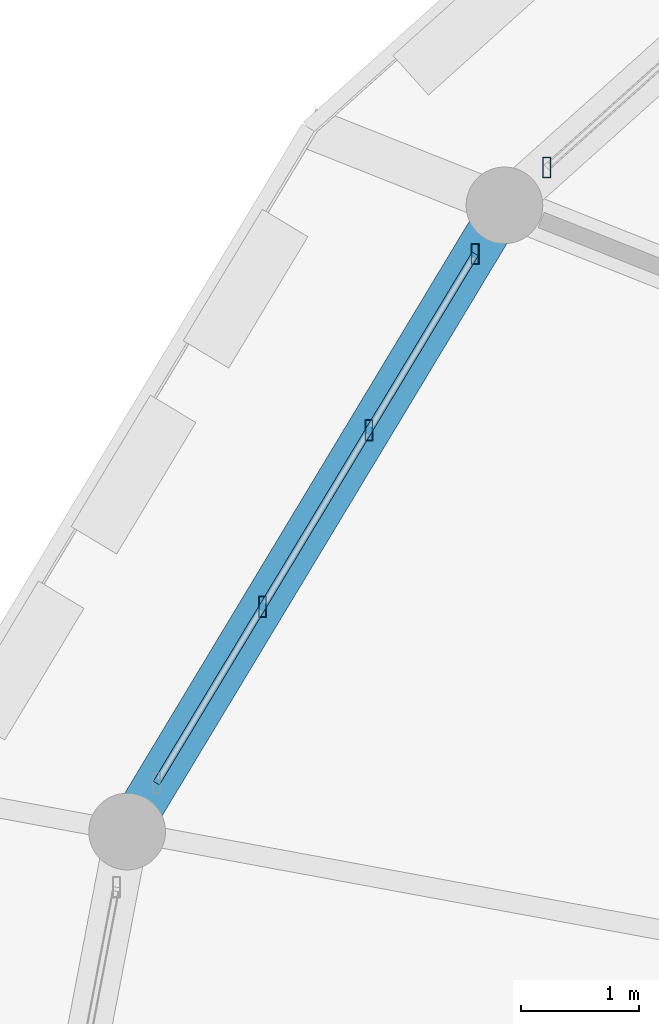
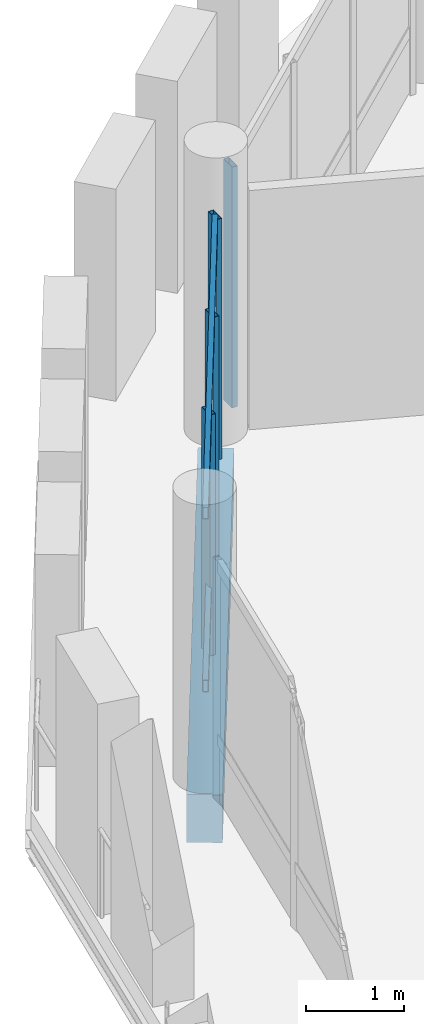
# One storey, part 39 of 93: 6 members, 1 beam, 2 elements without a shape of their own.
"""IFC4 building model written with IfcOpenShell, lengths in metres."""

from ifc_helpers import new_model, si_unit, direction, frame, origin, origin_2d, place, context, subcontext, project, spatial, rectangle, hollow_rectangle, extrude, material, material_profile, profile_set, type_object, element, aggregate, save


model = new_model("IFC4")

# Units and contexts
model_context = context("Model", 3, precision=1e-05, world=origin(), true_north=direction((0.0, 1.0)))
body_context = subcontext(model_context, "Body", "Model", "MODEL_VIEW")
ifc_project = project(units=[si_unit("LENGTHUNIT", "METRE"), si_unit("AREAUNIT", "SQUARE_METRE"), si_unit("VOLUMEUNIT", "CUBIC_METRE"), si_unit("PLANEANGLEUNIT", "RADIAN"), si_unit("MASSUNIT", "GRAM", prefix="KILO")], contexts=[model_context])

# Site, building, storey
site_placement = place(None, origin())
site = spatial("IfcSite", under=ifc_project, at=site_placement, CompositionType="ELEMENT")
building_placement = place(site_placement, origin())
building = spatial("IfcBuilding", under=site, at=building_placement, Name="Zornivar Specialist Clinic", CompositionType="ELEMENT")
storey_placement = place(building_placement, frame((0.0, 0.0, 8.39990234375)))
storey = spatial("IfcBuildingStorey", under=building, at=storey_placement, Name="L02", CompositionType="ELEMENT", Elevation=8.39990234375)

# Beam
ifc_material_1 = material(Name="Concrete C30/37", Category="concrete")
ifc_material_profile_1 = material_profile(ifc_material_1, rectangle(XDim=0.3701171875, YDim=0.60009765625, at=origin_2d()), Name="RC 370x600")
ifc_profile_set_1 = profile_set([ifc_material_profile_1], Name="Concrete C30/37")
beam_type = type_object("IfcBeamType", Name="BM-RC-SPANDREL-370x600", PredefinedType="SPANDREL", material=ifc_profile_set_1)
beam_placement = place(storey_placement, frame((65.886962890625, 68.60009765625, -0.539794921875), z_axis=(-0.516077084803, -0.856542142887, 0.0), x_axis=(0.856542142887, -0.516077084803, 0.0)))
element("IfcBeam", 1, at=beam_placement, inside=storey, type_object=beam_type, Name="bm:V1:L02:outring:10", PredefinedType="SPANDREL", context=body_context, shape_type="SweptSolid", body=[
    extrude(rectangle(XDim=0.3701171875, YDim=0.60009765625, at=origin_2d()), origin(), (0.0, 0.0, 1.0), 6.19482421875),
])

# Curtain wall, member
ifc_material_2 = material(Name="Aluminium and Low-E Glass Curtain Wall", Category="aluminium")
curtain_wall_type = type_object("IfcCurtainWallType", Name="CW-DRUM-FACET", PredefinedType="NOTDEFINED", material=ifc_material_2)
curtain_wall_1_placement = place(storey_placement, origin())
curtain_wall_1 = element("IfcCurtainWall", 2, at=curtain_wall_1_placement, inside=storey, type_object=curtain_wall_type, Name="cw:V1:L02:c09", PredefinedType="NOTDEFINED")
ifc_material_3 = material(Name="Aluminium AW-6060", Category="aluminium")
ifc_material_profile_2 = material_profile(ifc_material_3, hollow_rectangle(XDim=0.06494140625, YDim=0.175048828125, WallThickness=0.00439453125, at=origin_2d()), Name="ALU 65x175x4.5")
ifc_profile_set_2 = profile_set([ifc_material_profile_2], Name="Aluminium AW-6060")
member_type_1 = type_object("IfcMemberType", Name="CWM-MUL-175", PredefinedType="MULLION", material=ifc_profile_set_2)
member_1_placement = place(storey_placement, frame((66.2451171875, 68.9208984375, 0.0), z_axis=(0.0, 0.0, 1.0), x_axis=(1.0, 0.0, 0.0)))
member_1 = element("IfcMember", 3, at=member_1_placement, type_object=member_type_1, Name="cw:V1:L02:c09:mul:3", PredefinedType="MULLION", context=body_context, shape_type="SweptSolid", body=[
    extrude(hollow_rectangle(XDim=0.06494140625, YDim=0.175048828125, WallThickness=0.00439453125, at=origin_2d()), origin(), (0.0, 0.0, 1.0), 3.010009765625),
])
aggregate(curtain_wall_1, [member_1])

# Curtain wall, members
curtain_wall_2_placement = place(storey_placement, origin())
curtain_wall_2 = element("IfcCurtainWall", 4, at=curtain_wall_2_placement, inside=storey, type_object=curtain_wall_type, Name="cw:V1:L02:c10", PredefinedType="NOTDEFINED")
member_2_placement = place(storey_placement, frame((65.638916015625, 68.18896484375, 0.0), z_axis=(0.0, 0.0, 1.0), x_axis=(1.0, 0.0, 0.0)))
member_2 = element("IfcMember", 5, at=member_2_placement, type_object=member_type_1, Name="cw:V1:L02:c10:mul:0", PredefinedType="MULLION", context=body_context, shape_type="SweptSolid", body=[
    extrude(hollow_rectangle(XDim=0.06494140625, YDim=0.175048828125, WallThickness=0.00439453125, at=origin_2d()), origin(), (0.0, 0.0, 1.0), 3.010009765625),
])
member_3_placement = place(storey_placement, frame((64.739013671875, 66.694091796875, 0.0), z_axis=(0.0, 0.0, 1.0), x_axis=(1.0, 0.0, 0.0)))
member_3 = element("IfcMember", 6, at=member_3_placement, type_object=member_type_1, Name="cw:V1:L02:c10:mul:1", PredefinedType="MULLION", context=body_context, shape_type="SweptSolid", body=[
    extrude(hollow_rectangle(XDim=0.06494140625, YDim=0.175048828125, WallThickness=0.00439453125, at=origin_2d()), origin(), (0.0, 0.0, 1.0), 3.010009765625),
])
member_4_placement = place(storey_placement, frame((63.837890625, 65.198974609375, 0.0), z_axis=(0.0, 0.0, 1.0), x_axis=(1.0, 0.0, 0.0)))
member_4 = element("IfcMember", 7, at=member_4_placement, type_object=member_type_1, Name="cw:V1:L02:c10:mul:2", PredefinedType="MULLION", context=body_context, shape_type="SweptSolid", body=[
    extrude(hollow_rectangle(XDim=0.06494140625, YDim=0.175048828125, WallThickness=0.00439453125, at=origin_2d()), origin(), (0.0, 0.0, 1.0), 3.010009765625),
])
ifc_material_4 = material(Name="Aluminium AW-6060", Category="aluminium")
ifc_material_profile_3 = material_profile(ifc_material_4, hollow_rectangle(XDim=0.06005859375, YDim=0.14501953125, WallThickness=0.00390625, at=origin_2d()), Name="ALU 60x145x4")
ifc_profile_set_3 = profile_set([ifc_material_profile_3], Name="Aluminium AW-6060")
member_type_2 = type_object("IfcMemberType", Name="CWM-TRN-145", PredefinedType="USERDEFINED", material=ifc_profile_set_3)
member_5_placement = place(storey_placement, frame((65.638916015625, 68.18896484375, 0.783203125), z_axis=(-0.515983359641, -0.856598606451, 0.0), x_axis=(0.856598606451, -0.515983359641, 0.0)))
member_5 = element("IfcMember", 8, at=member_5_placement, type_object=member_type_2, Name="cw:V1:L02:c10:trn:0", ObjectType="TRANSOM", PredefinedType="USERDEFINED", context=body_context, shape_type="SweptSolid", body=[
    extrude(hollow_rectangle(XDim=0.06005859375, YDim=0.14501953125, WallThickness=0.00390625, at=origin_2d()), origin(), (0.0, 0.0, 1.0), 5.234619140625),
])
member_6_placement = place(storey_placement, frame((65.638916015625, 68.18896484375, 2.945068359375), z_axis=(-0.515983359641, -0.856598606451, 0.0), x_axis=(0.856598606451, -0.515983359641, 0.0)))
member_6 = element("IfcMember", 9, at=member_6_placement, type_object=member_type_2, Name="cw:V1:L02:c10:trn:1", ObjectType="TRANSOM", PredefinedType="USERDEFINED", context=body_context, shape_type="SweptSolid", body=[
    extrude(hollow_rectangle(XDim=0.06005859375, YDim=0.14501953125, WallThickness=0.00390625, at=origin_2d()), origin(), (0.0, 0.0, 1.0), 5.234619140625),
])
aggregate(curtain_wall_2, [member_2, member_3, member_4, member_5, member_6])

save(model, "model.ifc")
